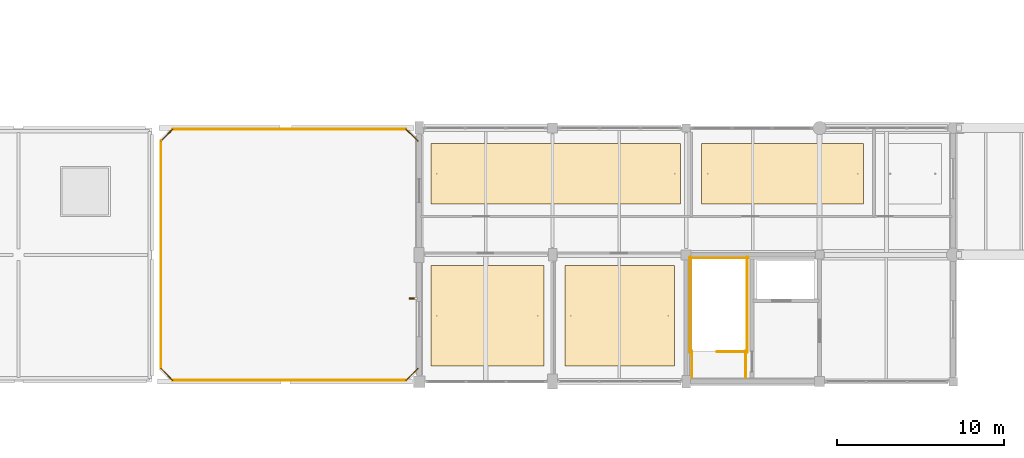
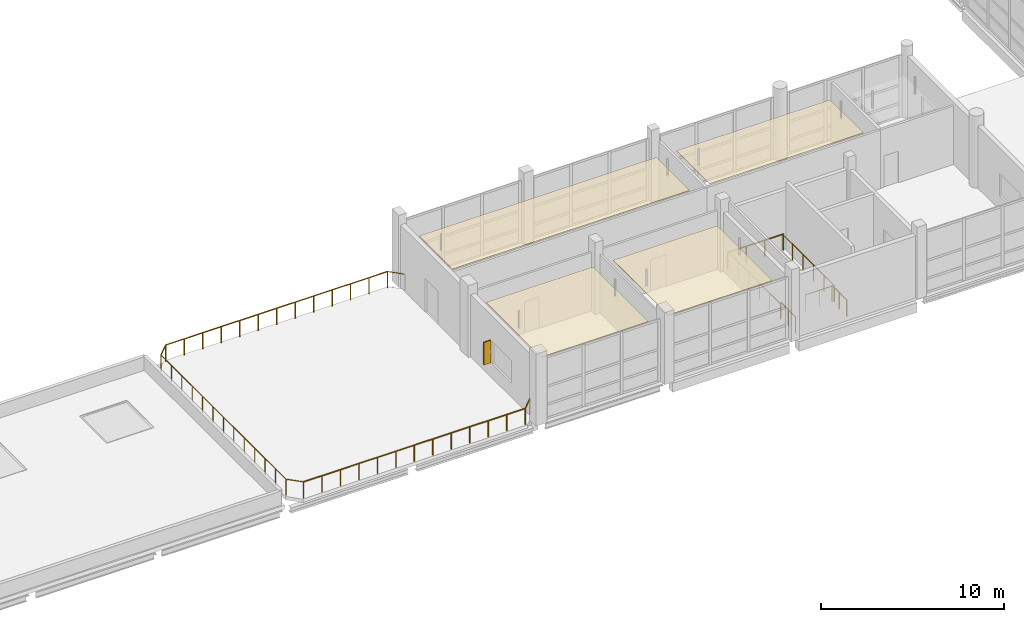
# One storey, part 103 of 107: 13 railings, 4 coverings, 1 shading device.
"""IFC4 building model written with IfcOpenShell, lengths in metres."""

from ifc_helpers import new_model, si_unit, direction, frame, origin, origin_2d, place, context, subcontext, project, spatial, polyline, rectangle, circle, outline, extrude, material, layer, layer_set, type_object, element, save


model = new_model("IFC4")

# Units and contexts
model_context = context("Model", 3, precision=1e-05, world=origin(), true_north=direction((0.0, 1.0)))
body_context = subcontext(model_context, "Body", "Model", "MODEL_VIEW")
ifc_project = project(units=[si_unit("LENGTHUNIT", "METRE"), si_unit("AREAUNIT", "SQUARE_METRE"), si_unit("VOLUMEUNIT", "CUBIC_METRE"), si_unit("PLANEANGLEUNIT", "RADIAN"), si_unit("MASSUNIT", "GRAM", prefix="KILO")], contexts=[model_context])

# Site, building, storey
site_placement = place(None, origin())
site = spatial("IfcSite", under=ifc_project, at=site_placement, CompositionType="ELEMENT")
building_placement = place(site_placement, origin())
building = spatial("IfcBuilding", under=site, at=building_placement, Name="Khelvaren Railside Concert Hall", CompositionType="ELEMENT")
storey_placement = place(building_placement, frame((0.0, 0.0, 15.0)))
storey = spatial("IfcBuildingStorey", under=building, at=storey_placement, Name="L03", CompositionType="ELEMENT", Elevation=15.0)

# Railings
ifc_material_1 = material(Name="Architectural stainless steel Grade 316", Category="steel")
railing_type_1 = type_object("IfcRailingType", Name="BAL77", PredefinedType="BALUSTRADE", material=ifc_material_1)
railing_1_placement = place(storey_placement, frame((89.22998046875, 0.080078125, 0.0)))
element("IfcRailing", 1, at=railing_1_placement, inside=storey, type_object=railing_type_1, Name="Terrace Perimeter Balustrade V3-L03-S", PredefinedType="BALUSTRADE", context=body_context, shape_type="SweptSolid", body=[
    extrude(circle(Radius=0.02392578125, at=origin_2d()), frame((0.0, 0.0, 1.076171875), z_axis=(1.0, 0.0, 0.0), x_axis=(0.0, 1.0, 0.0)), (0.0, 0.0, 1.0), 13.989990234375),
    extrude(circle(Radius=0.02099609375, at=origin_2d()), origin(), (0.0, 0.0, 1.0), 1.052001953125),
    extrude(circle(Radius=0.02099609375, at=origin_2d()), frame((1.165771484375, 0.0, 0.0)), (0.0, 0.0, 1.0), 1.052001953125),
    extrude(circle(Radius=0.02099609375, at=origin_2d()), frame((2.33154296875, 0.0, 0.0)), (0.0, 0.0, 1.0), 1.052001953125),
    extrude(circle(Radius=0.02099609375, at=origin_2d()), frame((3.49755859375, 0.0, 0.0)), (0.0, 0.0, 1.0), 1.052001953125),
    extrude(circle(Radius=0.02099609375, at=origin_2d()), frame((4.663330078125, 0.0, 0.0)), (0.0, 0.0, 1.0), 1.052001953125),
    extrude(circle(Radius=0.02099609375, at=origin_2d()), frame((5.8291015625, 0.0, 0.0)), (0.0, 0.0, 1.0), 1.052001953125),
    extrude(circle(Radius=0.02099609375, at=origin_2d()), frame((6.9951171875, 0.0, 0.0)), (0.0, 0.0, 1.0), 1.052001953125),
    extrude(circle(Radius=0.02099609375, at=origin_2d()), frame((8.160888671875, 0.0, 0.0)), (0.0, 0.0, 1.0), 1.052001953125),
    extrude(circle(Radius=0.02099609375, at=origin_2d()), frame((9.32666015625, 0.0, 0.0)), (0.0, 0.0, 1.0), 1.052001953125),
    extrude(circle(Radius=0.02099609375, at=origin_2d()), frame((10.492431640625, 0.0, 0.0)), (0.0, 0.0, 1.0), 1.052001953125),
    extrude(circle(Radius=0.02099609375, at=origin_2d()), frame((11.658203125, 0.0, 0.0)), (0.0, 0.0, 1.0), 1.052001953125),
    extrude(circle(Radius=0.02099609375, at=origin_2d()), frame((12.82421875, 0.0, 0.0)), (0.0, 0.0, 1.0), 1.052001953125),
    extrude(circle(Radius=0.02099609375, at=origin_2d()), frame((13.989990234375, 0.0, 0.0)), (0.0, 0.0, 1.0), 1.052001953125),
])
railing_2_placement = place(storey_placement, frame((103.219970703125, 0.080078125, 0.0)))
element("IfcRailing", 2, at=railing_2_placement, inside=storey, type_object=railing_type_1, Name="Terrace Perimeter Balustrade V3-L03-SE", PredefinedType="BALUSTRADE", context=body_context, shape_type="SweptSolid", body=[
    extrude(circle(Radius=0.02392578125, at=origin_2d()), frame((0.0, 0.0, 1.076171875), z_axis=(0.707106781187, 0.707106781187, 0.0), x_axis=(-0.707106781187, 0.707106781187, 0.0)), (0.0, 0.0, 1.0), 0.989990234375),
    extrude(circle(Radius=0.02099609375, at=origin_2d()), origin(), (0.0, 0.0, 1.0), 1.052001953125),
    extrude(circle(Radius=0.02099609375, at=origin_2d()), frame((0.699951171875, 0.699951171875, 0.0)), (0.0, 0.0, 1.0), 1.052001953125),
])
railing_3_placement = place(storey_placement, frame((103.919921875, 14.419921875, 0.0)))
element("IfcRailing", 3, at=railing_3_placement, inside=storey, type_object=railing_type_1, Name="Terrace Perimeter Balustrade V3-L03-NE", PredefinedType="BALUSTRADE", context=body_context, shape_type="SweptSolid", body=[
    extrude(circle(Radius=0.02392578125, at=origin_2d()), frame((0.0, 0.0, 1.076171875), z_axis=(-0.706983473703, 0.707230067171, 0.0), x_axis=(-0.707230067171, -0.706983473703, 0.0)), (0.0, 0.0, 1.0), 0.989990234375),
    extrude(circle(Radius=0.02099609375, at=origin_2d()), origin(), (0.0, 0.0, 1.0), 1.052001953125),
    extrude(circle(Radius=0.02099609375, at=origin_2d()), frame((-0.699951171875, 0.7001953125, 0.0)), (0.0, 0.0, 1.0), 1.052001953125),
])
railing_4_placement = place(storey_placement, frame((103.219970703125, 15.1201171875, 0.0)))
element("IfcRailing", 4, at=railing_4_placement, inside=storey, type_object=railing_type_1, Name="Terrace Perimeter Balustrade V3-L03-N", PredefinedType="BALUSTRADE", context=body_context, shape_type="SweptSolid", body=[
    extrude(circle(Radius=0.02392578125, at=origin_2d()), frame((0.0, 0.0, 1.076171875), z_axis=(-1.0, 0.0, 0.0), x_axis=(0.0, -1.0, 0.0)), (0.0, 0.0, 1.0), 13.989990234375),
    extrude(circle(Radius=0.02099609375, at=origin_2d()), origin(), (0.0, 0.0, 1.0), 1.052001953125),
    extrude(circle(Radius=0.02099609375, at=origin_2d()), frame((-1.165771484375, 0.0, 0.0)), (0.0, 0.0, 1.0), 1.052001953125),
    extrude(circle(Radius=0.02099609375, at=origin_2d()), frame((-2.33154296875, 0.0, 0.0)), (0.0, 0.0, 1.0), 1.052001953125),
    extrude(circle(Radius=0.02099609375, at=origin_2d()), frame((-3.49755859375, 0.0, 0.0)), (0.0, 0.0, 1.0), 1.052001953125),
    extrude(circle(Radius=0.02099609375, at=origin_2d()), frame((-4.663330078125, 0.0, 0.0)), (0.0, 0.0, 1.0), 1.052001953125),
    extrude(circle(Radius=0.02099609375, at=origin_2d()), frame((-5.8291015625, 0.0, 0.0)), (0.0, 0.0, 1.0), 1.052001953125),
    extrude(circle(Radius=0.02099609375, at=origin_2d()), frame((-6.9951171875, 0.0, 0.0)), (0.0, 0.0, 1.0), 1.052001953125),
    extrude(circle(Radius=0.02099609375, at=origin_2d()), frame((-8.160888671875, 0.0, 0.0)), (0.0, 0.0, 1.0), 1.052001953125),
    extrude(circle(Radius=0.02099609375, at=origin_2d()), frame((-9.32666015625, 0.0, 0.0)), (0.0, 0.0, 1.0), 1.052001953125),
    extrude(circle(Radius=0.02099609375, at=origin_2d()), frame((-10.492431640625, 0.0, 0.0)), (0.0, 0.0, 1.0), 1.052001953125),
    extrude(circle(Radius=0.02099609375, at=origin_2d()), frame((-11.658203125, 0.0, 0.0)), (0.0, 0.0, 1.0), 1.052001953125),
    extrude(circle(Radius=0.02099609375, at=origin_2d()), frame((-12.82421875, 0.0, 0.0)), (0.0, 0.0, 1.0), 1.052001953125),
    extrude(circle(Radius=0.02099609375, at=origin_2d()), frame((-13.989990234375, 0.0, 0.0)), (0.0, 0.0, 1.0), 1.052001953125),
])
railing_5_placement = place(storey_placement, frame((89.22998046875, 15.1201171875, 0.0)))
element("IfcRailing", 5, at=railing_5_placement, inside=storey, type_object=railing_type_1, Name="Terrace Perimeter Balustrade V3-L03-NW", PredefinedType="BALUSTRADE", context=body_context, shape_type="SweptSolid", body=[
    extrude(circle(Radius=0.02392578125, at=origin_2d()), frame((0.0, 0.0, 1.076171875), z_axis=(-0.706983473703, -0.707230067171, 0.0), x_axis=(0.707230067171, -0.706983473703, 0.0)), (0.0, 0.0, 1.0), 0.989990234375),
    extrude(circle(Radius=0.02099609375, at=origin_2d()), origin(), (0.0, 0.0, 1.0), 1.052001953125),
    extrude(circle(Radius=0.02099609375, at=origin_2d()), frame((-0.699951171875, -0.7001953125, 0.0)), (0.0, 0.0, 1.0), 1.052001953125),
])
railing_6_placement = place(storey_placement, frame((88.530029296875, 14.419921875, 0.0)))
element("IfcRailing", 6, at=railing_6_placement, inside=storey, type_object=railing_type_1, Name="Terrace Perimeter Balustrade V3-L03-W", PredefinedType="BALUSTRADE", context=body_context, shape_type="SweptSolid", body=[
    extrude(circle(Radius=0.02392578125, at=origin_2d()), frame((0.0, 0.0, 1.076171875), z_axis=(0.0, -1.0, 0.0), x_axis=(1.0, 0.0, 0.0)), (0.0, 0.0, 1.0), 13.639892578125),
    extrude(circle(Radius=0.02099609375, at=origin_2d()), origin(), (0.0, 0.0, 1.0), 1.052001953125),
    extrude(circle(Radius=0.02099609375, at=origin_2d()), frame((0.0, -1.13671875, 0.0)), (0.0, 0.0, 1.0), 1.052001953125),
    extrude(circle(Radius=0.02099609375, at=origin_2d()), frame((0.0, -2.2734375, 0.0)), (0.0, 0.0, 1.0), 1.052001953125),
    extrude(circle(Radius=0.02099609375, at=origin_2d()), frame((0.0, -3.409912109375, 0.0)), (0.0, 0.0, 1.0), 1.052001953125),
    extrude(circle(Radius=0.02099609375, at=origin_2d()), frame((0.0, -4.546630859375, 0.0)), (0.0, 0.0, 1.0), 1.052001953125),
    extrude(circle(Radius=0.02099609375, at=origin_2d()), frame((0.0, -5.683349609375, 0.0)), (0.0, 0.0, 1.0), 1.052001953125),
    extrude(circle(Radius=0.02099609375, at=origin_2d()), frame((0.0, -6.81982421875, 0.0)), (0.0, 0.0, 1.0), 1.052001953125),
    extrude(circle(Radius=0.02099609375, at=origin_2d()), frame((0.0, -7.95654296875, 0.0)), (0.0, 0.0, 1.0), 1.052001953125),
    extrude(circle(Radius=0.02099609375, at=origin_2d()), frame((0.0, -9.09326171875, 0.0)), (0.0, 0.0, 1.0), 1.052001953125),
    extrude(circle(Radius=0.02099609375, at=origin_2d()), frame((0.0, -10.22998046875, 0.0)), (0.0, 0.0, 1.0), 1.052001953125),
    extrude(circle(Radius=0.02099609375, at=origin_2d()), frame((0.0, -11.36669921875, 0.0)), (0.0, 0.0, 1.0), 1.052001953125),
    extrude(circle(Radius=0.02099609375, at=origin_2d()), frame((0.0, -12.503173828125, 0.0)), (0.0, 0.0, 1.0), 1.052001953125),
    extrude(circle(Radius=0.02099609375, at=origin_2d()), frame((0.0, -13.639892578125, 0.0)), (0.0, 0.0, 1.0), 1.052001953125),
])
railing_7_placement = place(storey_placement, frame((88.530029296875, 0.780029296875, 0.0)))
element("IfcRailing", 7, at=railing_7_placement, inside=storey, type_object=railing_type_1, Name="Terrace Perimeter Balustrade V3-L03-SW", PredefinedType="BALUSTRADE", context=body_context, shape_type="SweptSolid", body=[
    extrude(circle(Radius=0.02392578125, at=origin_2d()), frame((0.0, 0.0, 1.076171875), z_axis=(0.707106781187, -0.707106781187, 0.0), x_axis=(0.707106781187, 0.707106781187, 0.0)), (0.0, 0.0, 1.0), 0.989990234375),
    extrude(circle(Radius=0.02099609375, at=origin_2d()), origin(), (0.0, 0.0, 1.0), 1.052001953125),
    extrude(circle(Radius=0.02099609375, at=origin_2d()), frame((0.699951171875, -0.699951171875, 0.0)), (0.0, 0.0, 1.0), 1.052001953125),
])

# Coverings
ifc_material_2 = material(Name="Mineral-wool acoustic baffle ceiling", Category="gypsum")
ifc_layer_1 = layer(ifc_material_2, 0.0400390625)
ifc_layer_set_1 = layer_set([ifc_layer_1], Name="Mineral-wool acoustic baffle ceiling")
covering_type_1 = type_object("IfcCoveringType", Name="CLG20", PredefinedType="CEILING", material=ifc_layer_set_1)
covering_1_placement = place(storey_placement, frame((0.0, 0.0, 3.409912109375)))
element("IfcCovering", 8, at=covering_1_placement, inside=storey, type_object=covering_type_1, Name="Suspended Acoustic Ceiling Promenade Roof Terrace Recital Salon", PredefinedType="CEILING", context=body_context, shape_type="SweptSolid", body=[
    extrude(outline(polyline([(104.7099609375, 10.6298828125), (119.674072265625, 10.6298828125), (119.674072265625, 14.27001953125), (104.7099609375, 14.27001953125), (104.7099609375, 10.6298828125)])), origin(), (0.0, 0.0, 1.0), 0.0400390625),
])
covering_2_placement = place(storey_placement, frame((0.0, 0.0, 3.409912109375)))
element("IfcCovering", 9, at=covering_2_placement, inside=storey, type_object=covering_type_1, Name="Suspended Acoustic Ceiling Patron Membership Suite L03", PredefinedType="CEILING", context=body_context, shape_type="SweptSolid", body=[
    extrude(outline(polyline([(112.72998046875, 0.929931640625), (119.2900390625, 0.929931640625), (119.2900390625, 6.969970703125), (112.72998046875, 6.969970703125), (112.72998046875, 0.929931640625)])), origin(), (0.0, 0.0, 1.0), 0.0400390625),
])
ifc_material_3 = material(Name="Micro-perforated timber acoustic ceiling", Category="wood")
ifc_layer_2 = layer(ifc_material_3, 0.030029296875)
ifc_layer_set_2 = layer_set([ifc_layer_2], Name="Micro-perforated timber acoustic ceiling")
covering_type_2 = type_object("IfcCoveringType", Name="CLG77", PredefinedType="CEILING", material=ifc_layer_set_2)
covering_3_placement = place(storey_placement, frame((0.0, 0.0, 3.419921875)))
element("IfcCovering", 10, at=covering_3_placement, inside=storey, type_object=covering_type_2, Name="Suspended Acoustic Ceiling Chamber Reception Pantry", PredefinedType="CEILING", context=body_context, shape_type="SweptSolid", body=[
    extrude(outline(polyline([(120.93408203125, 10.6298828125), (130.625, 10.6298828125), (130.625, 14.27001953125), (120.93408203125, 14.27001953125), (120.93408203125, 10.6298828125)])), origin(), (0.0, 0.0, 1.0), 0.030029296875),
])
covering_4_placement = place(storey_placement, frame((0.0, 0.0, 3.419921875)))
element("IfcCovering", 11, at=covering_4_placement, inside=storey, type_object=covering_type_2, Name="Suspended Acoustic Ceiling Curatorial Cataloguing Office L03", PredefinedType="CEILING", context=body_context, shape_type="SweptSolid", body=[
    extrude(outline(polyline([(104.7099609375, 0.929931640625), (111.469970703125, 0.929931640625), (111.469970703125, 6.969970703125), (104.7099609375, 6.969970703125), (104.7099609375, 0.929931640625)])), origin(), (0.0, 0.0, 1.0), 0.030029296875),
])

# Railings
ifc_material_4 = material(Name="Painted architectural steel", Category="steel")
railing_type_2 = type_object("IfcRailingType", Name="GRD86", PredefinedType="GUARDRAIL", material=ifc_material_4)
railing_8_placement = place(storey_placement, frame((123.6201171875, 1.7900390625, 0.0)))
element("IfcRailing", 12, at=railing_8_placement, inside=storey, type_object=railing_type_2, Name="L03 ST-06 top well guard 1", PredefinedType="GUARDRAIL", context=body_context, shape_type="SweptSolid", body=[
    extrude(circle(Radius=0.02392578125, at=origin_2d()), frame((0.0, 0.0, 1.076171875), z_axis=(-1.0, 0.0, 0.0), x_axis=(0.0, -1.0, 0.0)), (0.0, 0.0, 1.0), 1.760009765625),
    extrude(circle(Radius=0.02099609375, at=origin_2d()), origin(), (0.0, 0.0, 1.0), 1.052001953125),
    extrude(circle(Radius=0.02099609375, at=origin_2d()), frame((-0.8798828125, 0.0, 0.0)), (0.0, 0.0, 1.0), 1.052001953125),
    extrude(circle(Radius=0.02099609375, at=origin_2d()), frame((-1.760009765625, 0.0, 0.0)), (0.0, 0.0, 1.0), 1.052001953125),
])
for number, where, name in (
    (13, (123.669921875, 1.739990234375, 0.0), "L03 ST-06 top well guard 2"),
    (14, (120.25, 1.739990234375, 0.0), "L03 ST-06 top well guard 3"),
):
    element("IfcRailing", number, at=place(storey_placement, frame(where)), inside=storey, type_object=railing_type_2, Name=name, PredefinedType="GUARDRAIL", context=body_context, shape_type="SweptSolid", body=[
        extrude(circle(Radius=0.02392578125, at=origin_2d()), frame((0.0, 0.0, 1.076171875), z_axis=(0.0, 1.0, 0.0), x_axis=(-1.0, 0.0, 0.0)), (0.0, 0.0, 1.0), 5.719970703125),
        extrude(circle(Radius=0.02099609375, at=origin_2d()), origin(), (0.0, 0.0, 1.0), 1.052001953125),
        extrude(circle(Radius=0.02099609375, at=origin_2d()), frame((0.0, 1.14404296875, 0.0)), (0.0, 0.0, 1.0), 1.052001953125),
        extrude(circle(Radius=0.02099609375, at=origin_2d()), frame((0.0, 2.2880859375, 0.0)), (0.0, 0.0, 1.0), 1.052001953125),
        extrude(circle(Radius=0.02099609375, at=origin_2d()), frame((0.0, 3.431884765625, 0.0)), (0.0, 0.0, 1.0), 1.052001953125),
        extrude(circle(Radius=0.02099609375, at=origin_2d()), frame((0.0, 4.575927734375, 0.0)), (0.0, 0.0, 1.0), 1.052001953125),
        extrude(circle(Radius=0.02099609375, at=origin_2d()), frame((0.0, 5.719970703125, 0.0)), (0.0, 0.0, 1.0), 1.052001953125),
    ])
railing_9_placement = place(storey_placement, frame((123.719970703125, 7.409912109375, 0.0)))
element("IfcRailing", 15, at=railing_9_placement, inside=storey, type_object=railing_type_2, Name="L03 ST-06 top well guard 4", PredefinedType="GUARDRAIL", context=body_context, shape_type="SweptSolid", body=[
    extrude(circle(Radius=0.02392578125, at=origin_2d()), frame((0.0, 0.0, 1.076171875), z_axis=(-1.0, 0.0, 0.0), x_axis=(0.0, -1.0, 0.0)), (0.0, 0.0, 1.0), 3.52001953125),
    extrude(circle(Radius=0.02099609375, at=origin_2d()), origin(), (0.0, 0.0, 1.0), 1.052001953125),
    extrude(circle(Radius=0.02099609375, at=origin_2d()), frame((-1.17333984375, 0.0, 0.0)), (0.0, 0.0, 1.0), 1.052001953125),
    extrude(circle(Radius=0.02099609375, at=origin_2d()), frame((-2.3466796875, 0.0, 0.0)), (0.0, 0.0, 1.0), 1.052001953125),
    extrude(circle(Radius=0.02099609375, at=origin_2d()), frame((-3.52001953125, 0.0, 0.0)), (0.0, 0.0, 1.0), 1.052001953125),
])
for number, where, name in (
    (16, (123.570068359375, 0.239990234375, 0.0), "L03 ST-06 top well guard 5"),
    (17, (120.35009765625, 0.239990234375, 0.0), "L03 ST-06 top well guard 6"),
):
    element("IfcRailing", number, at=place(storey_placement, frame(where)), inside=storey, type_object=railing_type_2, Name=name, PredefinedType="GUARDRAIL", context=body_context, shape_type="SweptSolid", body=[
        extrude(circle(Radius=0.02392578125, at=origin_2d()), frame((0.0, 0.0, 1.076171875), z_axis=(0.0, 1.0, 0.0), x_axis=(-1.0, 0.0, 0.0)), (0.0, 0.0, 1.0), 1.60009765625),
        extrude(circle(Radius=0.02099609375, at=origin_2d()), origin(), (0.0, 0.0, 1.0), 1.052001953125),
        extrude(circle(Radius=0.02099609375, at=origin_2d()), frame((0.0, 0.800048828125, 0.0)), (0.0, 0.0, 1.0), 1.052001953125),
        extrude(circle(Radius=0.02099609375, at=origin_2d()), frame((0.0, 1.60009765625, 0.0)), (0.0, 0.0, 1.0), 1.052001953125),
    ])

# Shading device
ifc_material_5 = material(Name="Anodised bronze aluminium 6063-T6", Category="aluminium")
shading_device_type = type_object("IfcShadingDeviceType", Name="SFN18", PredefinedType="USERDEFINED", material=ifc_material_5)
shading_device_placement = place(storey_placement, frame((103.635009765625, 4.97998046875, 0.949951171875), z_axis=(0.0, 0.0, 1.0), x_axis=(0.0, 1.0, 0.0)))
element("IfcShadingDevice", 18, at=shading_device_placement, inside=storey, type_object=shading_device_type, Name="Bronze Solar Shading Fin EW-V3-L03-W-0", ObjectType="SOLAR FIN", PredefinedType="USERDEFINED", context=body_context, shape_type="SweptSolid", body=[
    extrude(rectangle(XDim=0.080078125, YDim=0.449951171875, at=origin_2d()), origin(), (0.0, 0.0, 1.0), 1.5),
])

save(model, "model.ifc")
